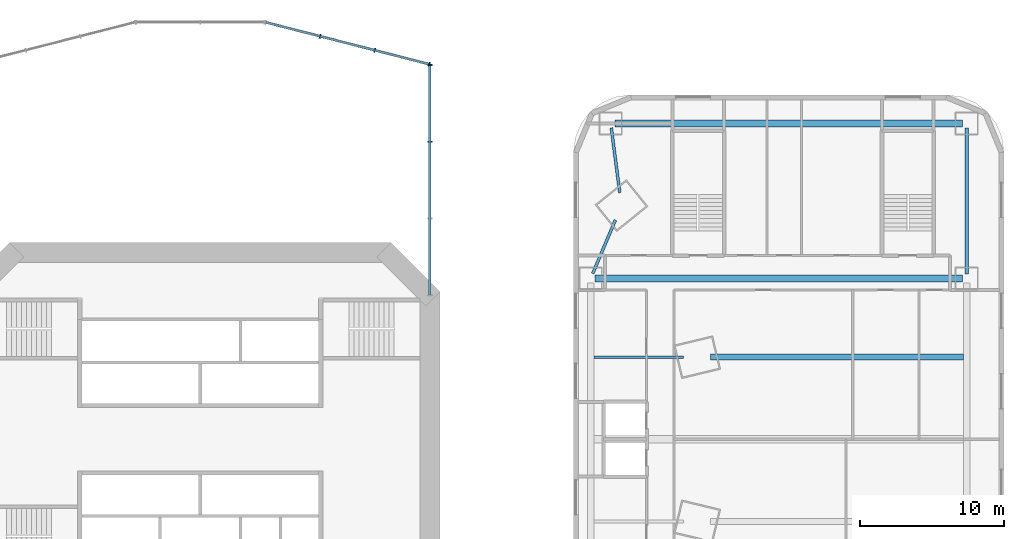
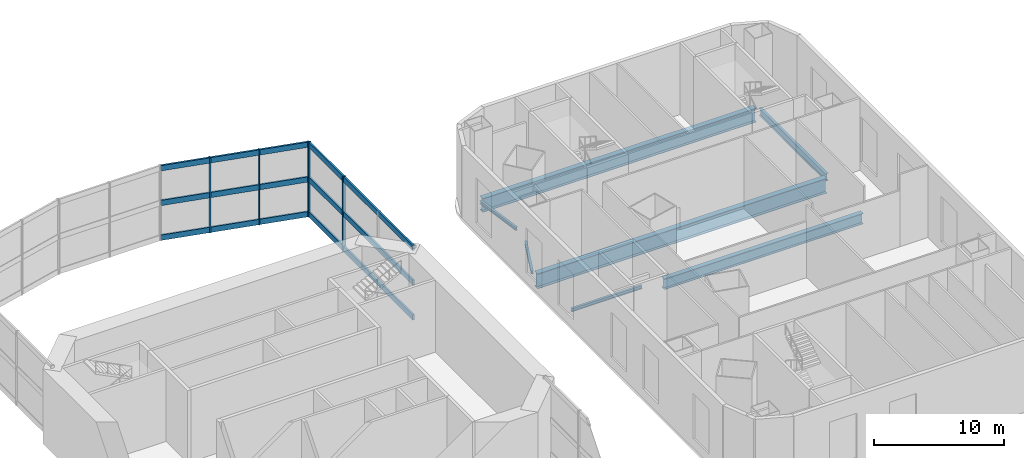
# One storey, part 7 of 19: 11 members, 7 beams, 2 elements without a shape of their own.
"""IFC4 building model written with IfcOpenShell, lengths in metres."""

from ifc_helpers import new_model, si_unit, direction, frame, origin, origin_2d, place, context, subcontext, project, spatial, rectangle, i_section, extrude, material, material_profile, profile_set, type_object, element, aggregate, save


model = new_model("IFC4")

# Units and contexts
model_context = context("Model", 3, precision=1e-05, world=origin(), true_north=direction((0.0, 1.0)))
body_context = subcontext(model_context, "Body", "Model", "MODEL_VIEW")
ifc_project = project(units=[si_unit("LENGTHUNIT", "METRE"), si_unit("AREAUNIT", "SQUARE_METRE"), si_unit("VOLUMEUNIT", "CUBIC_METRE"), si_unit("PLANEANGLEUNIT", "RADIAN"), si_unit("MASSUNIT", "GRAM", prefix="KILO")], contexts=[model_context])

# Site, building, storey
site_placement = place(None, origin())
site = spatial("IfcSite", under=ifc_project, at=site_placement, CompositionType="ELEMENT")
building_placement = place(site_placement, origin())
building = spatial("IfcBuilding", under=site, at=building_placement, Name="Marenthal Gate Tower", CompositionType="ELEMENT")
storey_placement = place(building_placement, frame((0.0, 0.0, 12.0)))
storey = spatial("IfcBuildingStorey", under=building, at=storey_placement, Name="L01", CompositionType="ELEMENT", Elevation=12.0)

# Curtain wall, members
ifc_material_1 = material(Name="Aluminium and glass", Category="aluminium")
curtain_wall_type = type_object("IfcCurtainWallType", Name="Curtain wall arch infill", PredefinedType="NOTDEFINED", material=ifc_material_1)
curtain_wall_1_placement = place(storey_placement, origin())
curtain_wall_1 = element("IfcCurtainWall", 1, at=curtain_wall_1_placement, inside=storey, type_object=curtain_wall_type, Name="Curtain wall L01 arch N3", PredefinedType="NOTDEFINED")
ifc_material_2 = material(Name="Aluminium", Category="aluminium")
ifc_material_profile_1 = material_profile(ifc_material_2, rectangle(XDim=0.300048828125, YDim=0.080078125, at=origin_2d()), Name="80x300 aluminium mullion")
ifc_profile_set_1 = profile_set([ifc_material_profile_1], Name="Aluminium")
member_type_1 = type_object("IfcMemberType", Name="Mullion 80x300 arch infill", PredefinedType="MULLION", material=ifc_profile_set_1)
member_1_placement = place(storey_placement, frame((8.34619140625, 28.076416015625, 0.0), z_axis=(0.0, 0.0, 1.0), x_axis=(0.247965362941, 0.968768898542, 0.0)))
member_1 = element("IfcMember", 2, at=member_1_placement, type_object=member_type_1, Name="Mullion L01 arch N3.2", PredefinedType="MULLION", context=body_context, shape_type="SweptSolid", body=[
    extrude(rectangle(XDim=0.300048828125, YDim=0.080078125, at=origin_2d()), origin(), (0.0, 0.0, 1.0), 7.0),
])
member_2_placement = place(storey_placement, frame((12.15380859375, 27.101806640625, 0.0), z_axis=(0.0, 0.0, 1.0), x_axis=(0.247965362941, 0.968768898542, 0.0)))
member_2 = element("IfcMember", 3, at=member_2_placement, type_object=member_type_1, Name="Mullion L01 arch N3.3", PredefinedType="MULLION", context=body_context, shape_type="SweptSolid", body=[
    extrude(rectangle(XDim=0.300048828125, YDim=0.080078125, at=origin_2d()), origin(), (0.0, 0.0, 1.0), 7.0),
])
member_3_placement = place(storey_placement, frame((15.961181640625, 26.12744140625, 0.0), z_axis=(0.0, 0.0, 1.0), x_axis=(0.247965362941, 0.968768898542, 0.0)))
member_3 = element("IfcMember", 4, at=member_3_placement, type_object=member_type_1, Name="Mullion L01 arch N3.4", PredefinedType="MULLION", context=body_context, shape_type="SweptSolid", body=[
    extrude(rectangle(XDim=0.300048828125, YDim=0.080078125, at=origin_2d()), origin(), (0.0, 0.0, 1.0), 7.0),
])

curtain_wall_2_placement = place(storey_placement, origin())
curtain_wall_2 = element("IfcCurtainWall", 5, at=curtain_wall_2_placement, inside=storey, type_object=curtain_wall_type, Name="Curtain wall L01 hall NE1", PredefinedType="NOTDEFINED")
member_4_placement = place(storey_placement, frame((16.0, 20.731689453125, 0.0), z_axis=(0.0, 0.0, 1.0), x_axis=(-1.0, 0.0, 0.0)))
member_4 = element("IfcMember", 6, at=member_4_placement, type_object=member_type_1, Name="Mullion L01 hall NE1.3", PredefinedType="MULLION", context=body_context, shape_type="SweptSolid", body=[
    extrude(rectangle(XDim=0.300048828125, YDim=0.080078125, at=origin_2d()), origin(), (0.0, 0.0, 1.0), 7.0),
])
member_5_placement = place(storey_placement, frame((16.0, 26.077392578125, 0.0), z_axis=(0.0, 0.0, 1.0), x_axis=(-1.0, 0.0, 0.0)))
member_5 = element("IfcMember", 7, at=member_5_placement, type_object=member_type_1, Name="Mullion L01 hall NE1.4", PredefinedType="MULLION", context=body_context, shape_type="SweptSolid", body=[
    extrude(rectangle(XDim=0.300048828125, YDim=0.080078125, at=origin_2d()), origin(), (0.0, 0.0, 1.0), 7.0),
])

# Beams
ifc_material_3 = material(Name="Steel S355", Category="steel")
ifc_material_profile_2 = material_profile(ifc_material_3, i_section(OverallWidth=0.419921875, OverallDepth=1.0, WebThickness=0.02001953125, FlangeThickness=0.035888671875, at=origin_2d()), Name="PLATE GIRDER 1000X420X20X36")
ifc_profile_set_2 = profile_set([ifc_material_profile_2], Name="Steel S355")
beam_type_1 = type_object("IfcBeamType", Name="PLATE GIRDER 1000X420X20X36 beam", PredefinedType="BEAM", material=ifc_profile_set_2)
beam_1_placement = place(storey_placement, frame((35.561279296875, 5.716064453125, -0.75), z_axis=(1.0, 0.0, 0.0), x_axis=(0.0, 1.0, 0.0)))
element("IfcBeam", 8, at=beam_1_placement, inside=storey, type_object=beam_type_1, Name="BM-L01-111", PredefinedType="BEAM", context=body_context, shape_type="SweptSolid", body=[
    extrude(i_section(OverallWidth=0.419921875, OverallDepth=1.0, WebThickness=0.02001953125, FlangeThickness=0.035888671875, at=origin_2d()), origin(), (0.0, 0.0, 1.0), 17.61376953125),
])
ifc_material_4 = material(Name="Steel S355", Category="steel")
ifc_material_profile_3 = material_profile(ifc_material_4, i_section(OverallWidth=0.4599609375, OverallDepth=1.300048828125, WebThickness=0.02490234375, FlangeThickness=0.044921875, at=origin_2d()), Name="PLATE GIRDER 1300X460X25X45")
ifc_profile_set_3 = profile_set([ifc_material_profile_3], Name="Steel S355")
beam_type_2 = type_object("IfcBeamType", Name="PLATE GIRDER 1300X460X25X45 beam", PredefinedType="BEAM", material=ifc_profile_set_3)
beam_2_placement = place(storey_placement, frame((28.89990234375, 22.0, -0.89990234375), z_axis=(1.0, 0.0, 0.0), x_axis=(0.0, 1.0, 0.0)))
element("IfcBeam", 9, at=beam_2_placement, inside=storey, type_object=beam_type_2, Name="BM-L01-113", PredefinedType="BEAM", context=body_context, shape_type="SweptSolid", body=[
    extrude(i_section(OverallWidth=0.4599609375, OverallDepth=1.300048828125, WebThickness=0.02490234375, FlangeThickness=0.044921875, at=origin_2d()), origin(), (0.0, 0.0, 1.0), 24.2001953125),
])
ifc_material_5 = material(Name="Steel S355", Category="steel")
ifc_material_profile_4 = material_profile(ifc_material_5, i_section(OverallWidth=0.47998046875, OverallDepth=1.39990234375, WebThickness=0.02490234375, FlangeThickness=0.044921875, at=origin_2d()), Name="PLATE GIRDER 1400X480X25X45")
ifc_profile_set_4 = profile_set([ifc_material_profile_4], Name="Steel S355")
beam_type_3 = type_object("IfcBeamType", Name="PLATE GIRDER 1400X480X25X45 beam", PredefinedType="BEAM", material=ifc_profile_set_4)
beam_3_placement = place(storey_placement, frame((27.5, 11.199951171875, -0.949951171875), z_axis=(1.0, 0.0, 0.0), x_axis=(0.0, 1.0, 0.0)))
element("IfcBeam", 10, at=beam_3_placement, inside=storey, type_object=beam_type_3, Name="BM-L01-112", PredefinedType="BEAM", context=body_context, shape_type="SweptSolid", body=[
    extrude(i_section(OverallWidth=0.47998046875, OverallDepth=1.39990234375, WebThickness=0.02490234375, FlangeThickness=0.044921875, at=origin_2d()), origin(), (0.0, 0.0, 1.0), 25.60009765625),
])

# Member
ifc_material_6 = material(Name="Aluminium", Category="aluminium")
ifc_material_profile_5 = material_profile(ifc_material_6, rectangle(XDim=0.159912109375, YDim=0.5, at=origin_2d()), Name="160x500 aluminium transom")
ifc_profile_set_5 = profile_set([ifc_material_profile_5], Name="Aluminium")
member_type_2 = type_object("IfcMemberType", Name="Transom 160x500 arch infill", PredefinedType="USERDEFINED", material=ifc_profile_set_5)
member_6_placement = place(storey_placement, frame((4.577392578125, 29.041015625, 0.25), z_axis=(0.968771034171, -0.247957019161, 0.0), x_axis=(0.247957019161, 0.968771034171, 0.0)))
member_6 = element("IfcMember", 11, at=member_6_placement, type_object=member_type_2, Name="Transom L01 arch N3.1", ObjectType="TRANSOM", PredefinedType="USERDEFINED", context=body_context, shape_type="SweptSolid", body=[
    extrude(rectangle(XDim=0.159912109375, YDim=0.5, at=origin_2d()), origin(), (0.0, 0.0, 1.0), 11.7109375),
])

member_7_placement = place(storey_placement, frame((4.577392578125, 29.041015625, 3.5), z_axis=(0.968771034171, -0.247957019161, 0.0), x_axis=(0.247957019161, 0.968771034171, 0.0)))
member_7 = element("IfcMember", 12, at=member_7_placement, type_object=member_type_2, Name="Transom L01 arch N3.2", ObjectType="TRANSOM", PredefinedType="USERDEFINED", context=body_context, shape_type="SweptSolid", body=[
    extrude(rectangle(XDim=0.159912109375, YDim=0.5, at=origin_2d()), origin(), (0.0, 0.0, 1.0), 11.7109375),
])

member_8_placement = place(storey_placement, frame((4.577392578125, 29.041015625, 6.75), z_axis=(0.968771034171, -0.247957019161, 0.0), x_axis=(0.247957019161, 0.968771034171, 0.0)))
member_8 = element("IfcMember", 13, at=member_8_placement, type_object=member_type_2, Name="Transom L01 arch N3.3", ObjectType="TRANSOM", PredefinedType="USERDEFINED", context=body_context, shape_type="SweptSolid", body=[
    extrude(rectangle(XDim=0.159912109375, YDim=0.5, at=origin_2d()), origin(), (0.0, 0.0, 1.0), 11.7109375),
])

aggregate(curtain_wall_1, [member_1, member_2, member_3, member_6, member_7, member_8])

member_9_placement = place(storey_placement, frame((16.0, 10.080078125, 0.25), z_axis=(0.0, 1.0, 0.0), x_axis=(-1.0, 0.0, 0.0)))
member_9 = element("IfcMember", 14, at=member_9_placement, type_object=member_type_2, Name="Transom L01 hall NE1.1", ObjectType="TRANSOM", PredefinedType="USERDEFINED", context=body_context, shape_type="SweptSolid", body=[
    extrude(rectangle(XDim=0.159912109375, YDim=0.5, at=origin_2d()), origin(), (0.0, 0.0, 1.0), 15.957275390625),
])

member_10_placement = place(storey_placement, frame((16.0, 10.080078125, 3.5), z_axis=(0.0, 1.0, 0.0), x_axis=(-1.0, 0.0, 0.0)))
member_10 = element("IfcMember", 15, at=member_10_placement, type_object=member_type_2, Name="Transom L01 hall NE1.2", ObjectType="TRANSOM", PredefinedType="USERDEFINED", context=body_context, shape_type="SweptSolid", body=[
    extrude(rectangle(XDim=0.159912109375, YDim=0.5, at=origin_2d()), origin(), (0.0, 0.0, 1.0), 15.957275390625),
])

member_11_placement = place(storey_placement, frame((16.0, 10.080078125, 6.75), z_axis=(0.0, 1.0, 0.0), x_axis=(-1.0, 0.0, 0.0)))
member_11 = element("IfcMember", 16, at=member_11_placement, type_object=member_type_2, Name="Transom L01 hall NE1.3", ObjectType="TRANSOM", PredefinedType="USERDEFINED", context=body_context, shape_type="SweptSolid", body=[
    extrude(rectangle(XDim=0.159912109375, YDim=0.5, at=origin_2d()), origin(), (0.0, 0.0, 1.0), 15.957275390625),
])

aggregate(curtain_wall_2, [member_4, member_5, member_9, member_10, member_11])

# Beams
ifc_material_7 = material(Name="Steel S355", Category="steel")
ifc_material_profile_6 = material_profile(ifc_material_7, i_section(OverallWidth=0.202880859375, OverallDepth=0.302001953125, WebThickness=0.007568359375, FlangeThickness=0.01318359375, FilletRadius=0.0126953125, at=origin_2d()), Name="W310X60")
ifc_profile_set_6 = profile_set([ifc_material_profile_6], Name="Steel S355")
beam_type_4 = type_object("IfcBeamType", Name="W310X60 beam", PredefinedType="BEAM", material=ifc_profile_set_6)
beam_4_placement = place(storey_placement, frame((27.425048828125, 5.716064453125, -0.40087890625), z_axis=(1.0, 0.0, 0.0), x_axis=(0.0, 1.0, 0.0)))
element("IfcBeam", 17, at=beam_4_placement, inside=storey, type_object=beam_type_4, Name="BM-L01-110", PredefinedType="BEAM", context=body_context, shape_type="SweptSolid", body=[
    extrude(i_section(OverallWidth=0.202880859375, OverallDepth=0.302001953125, WebThickness=0.007568359375, FlangeThickness=0.01318359375, FilletRadius=0.0126953125, at=origin_2d()), origin(), (0.0, 0.0, 1.0), 6.2568359375),
])
beam_5_placement = place(storey_placement, frame((27.34375, 11.53955078125, -0.40087890625), z_axis=(0.390030578719, 0.920801904681, 0.0), x_axis=(-0.920801904681, 0.390030578719, 0.0)))
element("IfcBeam", 18, at=beam_5_placement, inside=storey, type_object=beam_type_4, Name="BM-L01-114", PredefinedType="BEAM", context=body_context, shape_type="SweptSolid", body=[
    extrude(i_section(OverallWidth=0.202880859375, OverallDepth=0.302001953125, WebThickness=0.007568359375, FlangeThickness=0.01318359375, FilletRadius=0.0126953125, at=origin_2d()), origin(), (0.0, 0.0, 1.0), 4.057373046875),
])
beam_6_placement = place(storey_placement, frame((29.233154296875, 17.17578125, -0.40087890625), z_axis=(-0.130135880417, 0.991496168741, 0.0), x_axis=(-0.991496168741, -0.130135880417, 0.0)))
element("IfcBeam", 19, at=beam_6_placement, inside=storey, type_object=beam_type_4, Name="BM-L01-115", PredefinedType="BEAM", context=body_context, shape_type="SweptSolid", body=[
    extrude(i_section(OverallWidth=0.202880859375, OverallDepth=0.302001953125, WebThickness=0.007568359375, FlangeThickness=0.01318359375, FilletRadius=0.0126953125, at=origin_2d()), origin(), (0.0, 0.0, 1.0), 4.558837890625),
])
ifc_material_8 = material(Name="Steel S355", Category="steel")
ifc_material_profile_7 = material_profile(ifc_material_8, i_section(OverallWidth=0.25390625, OverallDepth=0.68310546875, WebThickness=0.012451171875, FlangeThickness=0.018798828125, FilletRadius=0.01513671875, at=origin_2d()), Name="W690X140")
ifc_profile_set_7 = profile_set([ifc_material_profile_7], Name="Steel S355")
beam_type_5 = type_object("IfcBeamType", Name="W690X140 beam", PredefinedType="BEAM", material=ifc_profile_set_7)
beam_7_placement = place(storey_placement, frame((53.39990234375, 11.5, -0.591552734375), z_axis=(0.0, 1.0, 0.0), x_axis=(-1.0, 0.0, 0.0)))
element("IfcBeam", 20, at=beam_7_placement, inside=storey, type_object=beam_type_5, Name="BM-L01-103", PredefinedType="BEAM", context=body_context, shape_type="SweptSolid", body=[
    extrude(i_section(OverallWidth=0.25390625, OverallDepth=0.68310546875, WebThickness=0.012451171875, FlangeThickness=0.018798828125, FilletRadius=0.01513671875, at=origin_2d()), origin(), (0.0, 0.0, 1.0), 10.199951171875),
])

save(model, "model.ifc")
